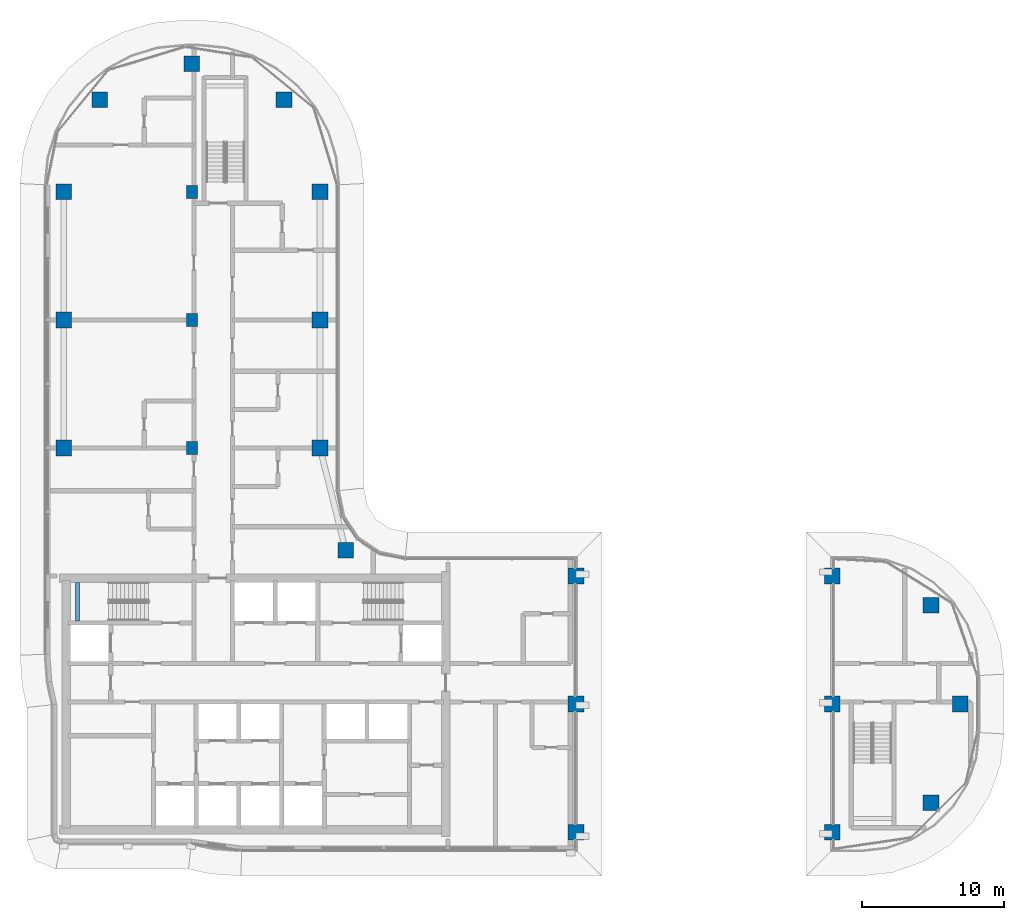
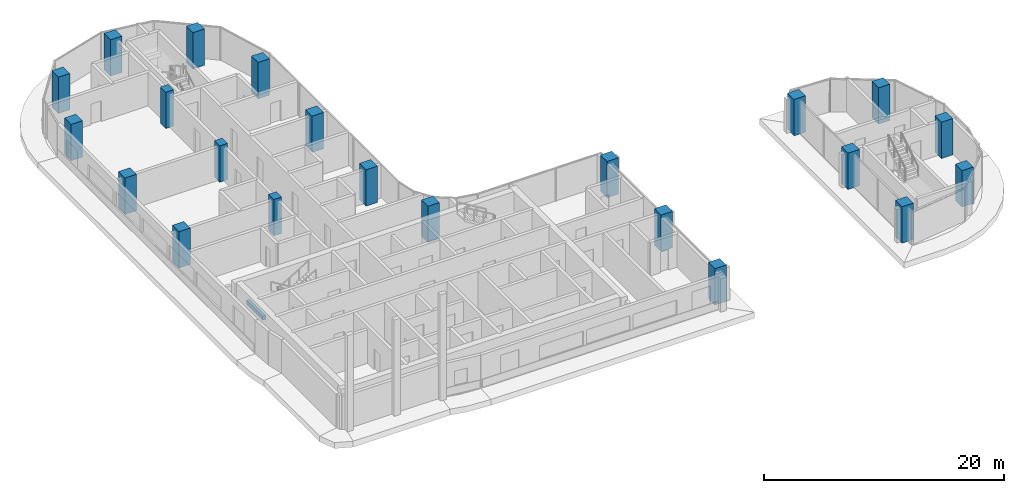
# One storey, part 1 of 27: 22 columns, 1 beam.
"""IFC4 building model written with IfcOpenShell, lengths in metres."""

from ifc_helpers import new_model, si_unit, direction, frame, origin, origin_2d, place, context, subcontext, project, spatial, rectangle, extrude, material, material_profile, profile_set, type_object, element, save


model = new_model("IFC4")

# Units and contexts
model_context = context("Model", 3, precision=1e-05, world=origin(), true_north=direction((0.0, 1.0)))
body_context = subcontext(model_context, "Body", "Model", "MODEL_VIEW")
ifc_project = project(units=[si_unit("LENGTHUNIT", "METRE"), si_unit("AREAUNIT", "SQUARE_METRE"), si_unit("VOLUMEUNIT", "CUBIC_METRE"), si_unit("PLANEANGLEUNIT", "RADIAN"), si_unit("MASSUNIT", "GRAM", prefix="KILO")], contexts=[model_context])

# Site, building, storey
site_placement = place(None, origin())
site = spatial("IfcSite", under=ifc_project, at=site_placement, CompositionType="ELEMENT")
building_placement = place(site_placement, origin())
building = spatial("IfcBuilding", under=site, at=building_placement, Name="Ogive Portal Towers", CompositionType="ELEMENT")
storey_placement = place(building_placement, frame((0.0, 0.0, 160.699951171875)))
storey = spatial("IfcBuildingStorey", under=building, at=storey_placement, Name="L39", CompositionType="ELEMENT", Elevation=160.699951171875)

# Columns
ifc_material_1 = material(Name="Concrete C60/75", Category="concrete")
ifc_material_profile_1 = material_profile(ifc_material_1, rectangle(XDim=1.10009765625, YDim=1.10009765625, at=origin_2d()), Name="RC 1100x1100")
ifc_profile_set_1 = profile_set([ifc_material_profile_1], Name="Concrete C60/75")
column_type_1 = type_object("IfcColumnType", Name="COLUMN RC 1100x1100", PredefinedType="COLUMN", material=ifc_profile_set_1)
for number, where, z_axis, x_axis, name in (
    (1, (67.5, 21.5, 0.0), (0.0, 0.0, 1.0), (1.0, 0.0, 0.0), "Column 5/A L39"),
    (2, (85.5, 21.5, 0.0), (0.0, 0.0, 1.0), (1.0, 0.0, 0.0), "Column 7/A L39"),
    (3, (92.449951171875, 23.550048828125, 0.0), (0.0, 0.0, 1.0), (1.0, 0.0, 0.0), "Column L39"),
    (4, (67.5, 30.5, 0.0), (0.0, 0.0, 1.0), (1.0, 0.0, 0.0), "Column 5/B L39"),
    (5, (85.5, 30.5, 0.0), (0.0, 0.0, 1.0), (1.0, 0.0, 0.0), "Column 7/B L39"),
    (6, (94.5, 30.5, 0.0), (0.0, 0.0, 1.0), (1.0, 0.0, 0.0), "Column 8/B L39"),
    (7, (92.449951171875, 37.449951171875, 0.0), (0.0, 0.0, 1.0), (1.0, 0.0, 0.0), "Column L39"),
    (8, (67.5, 39.5, 0.0), (0.0, 0.0, 1.0), (1.0, 0.0, 0.0), "Column 5/C L39"),
    (9, (85.5, 39.5, 0.0), (0.0, 0.0, 1.0), (1.0, 0.0, 0.0), "Column 7/C L39"),
    (10, (51.31005859375, 41.31005859375, 0.0), (0.0, 0.0, 1.0), (1.0, 0.0, 0.0), "Column L39"),
    (11, (31.5, 48.5, 0.0), (0.0, 0.0, 1.0), (1.0, 0.0, 0.0), "Column 1/D L39"),
    (12, (49.5, 48.5, 0.0), (0.0, 0.0, 1.0), (1.0, 0.0, 0.0), "Column 3/D L39"),
    (13, (31.5, 57.5, 0.0), (0.0, 0.0, 1.0), (1.0, 0.0, 0.0), "Column 1/E L39"),
    (14, (49.5, 57.5, 0.0), (0.0, 0.0, 1.0), (1.0, 0.0, 0.0), "Column 3/E L39"),
    (15, (31.5, 66.5, 0.0), (0.0, 0.0, 1.0), (1.0, 0.0, 0.0), "Column 1/F L39"),
    (16, (49.5, 66.5, 0.0), (0.0, 0.0, 1.0), (1.0, 0.0, 0.0), "Column 3/F L39"),
    (17, (34.027099609375, 72.972900390625, 0.0), (0.0, 0.0, 1.0), (1.0, 0.0, 0.0), "Column L39"),
    (18, (46.972900390625, 72.972900390625, 0.0), (0.0, 0.0, 1.0), (1.0, 0.0, 0.0), "Column L39"),
    (19, (40.5, 75.5, 0.0), (0.0, 0.0, 1.0), (1.0, 0.0, 0.0), "Column 2/G L39"),
):
    element("IfcColumn", number, at=place(storey_placement, frame(where, z_axis=z_axis, x_axis=x_axis)), inside=storey, type_object=column_type_1, Name=name, PredefinedType="COLUMN", context=body_context, shape_type="SweptSolid", body=[
        extrude(rectangle(XDim=1.10009765625, YDim=1.10009765625, at=origin_2d()), origin(), (0.0, 0.0, 1.0), 3.699951171875),
    ])
ifc_material_profile_2 = material_profile(ifc_material_1, rectangle(XDim=0.89990234375, YDim=0.75, at=origin_2d()), Name="RC 900x750")
ifc_profile_set_2 = profile_set([ifc_material_profile_2], Name="Concrete C60/75")
column_type_2 = type_object("IfcColumnType", Name="COLUMN RC 900x750", PredefinedType="COLUMN", material=ifc_profile_set_2)
for number, where, z_axis, x_axis, name in (
    (20, (40.5, 48.5, 0.0), (0.0, 0.0, 1.0), (0.0, 1.0, 0.0), "Column 2/D L39"),
    (21, (40.5, 57.5, 0.0), (0.0, 0.0, 1.0), (0.0, 1.0, 0.0), "Column 2/E L39"),
    (22, (40.5, 66.5, 0.0), (0.0, 0.0, 1.0), (0.0, 1.0, 0.0), "Column 2/F L39"),
):
    element("IfcColumn", number, at=place(storey_placement, frame(where, z_axis=z_axis, x_axis=x_axis)), inside=storey, type_object=column_type_2, Name=name, PredefinedType="COLUMN", context=body_context, shape_type="SweptSolid", body=[
        extrude(rectangle(XDim=0.89990234375, YDim=0.75, at=origin_2d()), origin(), (0.0, 0.0, 1.0), 3.699951171875),
    ])

# Beam
ifc_material_2 = material(Name="Concrete C40/50", Category="concrete")
ifc_material_profile_3 = material_profile(ifc_material_2, rectangle(XDim=0.300048828125, YDim=0.39990234375, at=origin_2d()), Name="RC 300x400")
ifc_profile_set_3 = profile_set([ifc_material_profile_3], Name="Concrete C40/50")
beam_type = type_object("IfcBeamType", Name="BEAM RC 300x400", PredefinedType="BEAM", material=ifc_profile_set_3)
beam_placement = place(storey_placement, frame((32.449951171875, 36.35009765625, 1.449951171875), z_axis=(0.0, 1.0, 0.0), x_axis=(-1.0, 0.0, 0.0)))
element("IfcBeam", 23, at=beam_placement, inside=storey, type_object=beam_type, Name="Landing beam L39", PredefinedType="BEAM", context=body_context, shape_type="SweptSolid", body=[
    extrude(rectangle(XDim=0.300048828125, YDim=0.39990234375, at=origin_2d()), origin(), (0.0, 0.0, 1.0), 2.699951171875),
])

save(model, "model.ifc")
